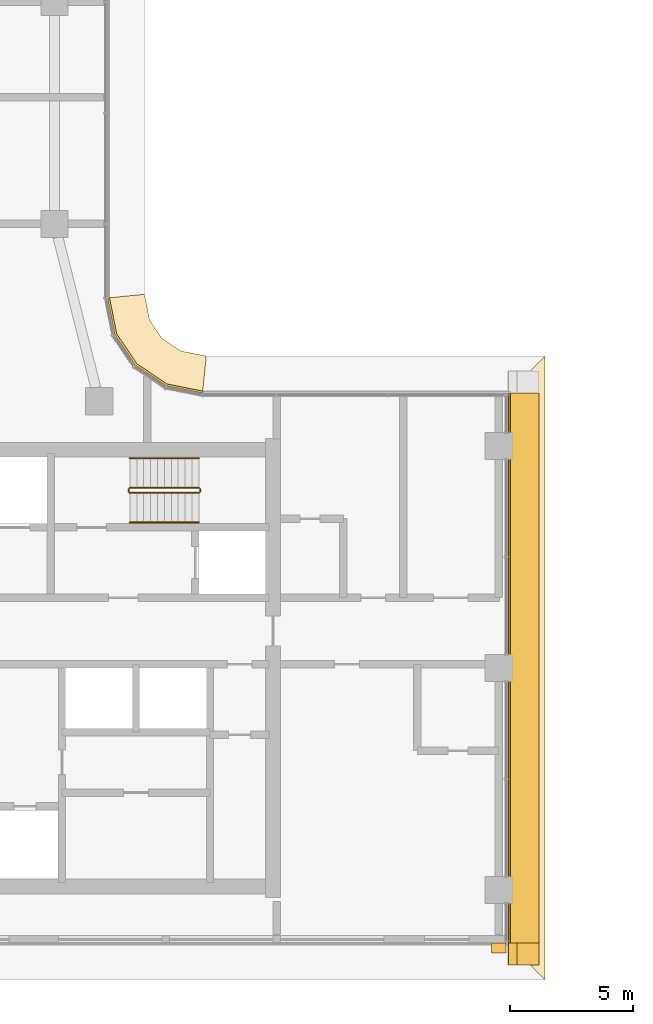
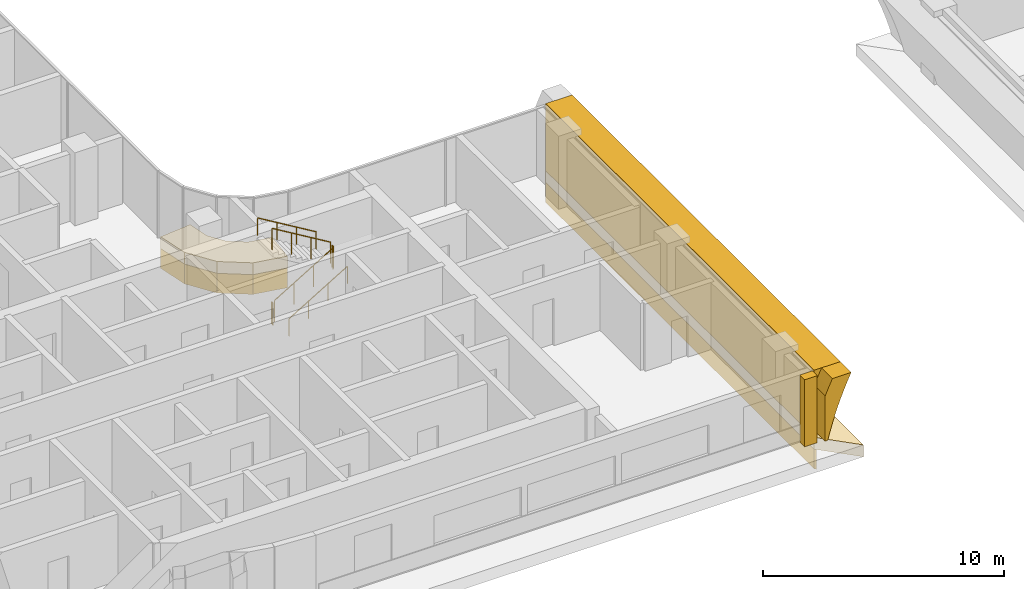
# One storey, part 20 of 26: 7 coverings, 6 railings.
"""IFC4 building model written with IfcOpenShell, lengths in metres."""

from ifc_helpers import new_model, si_unit, direction, frame, origin, origin_2d, place, context, subcontext, project, spatial, polyline, rectangle, circle, outline, extrude, material, layer, layer_set, type_object, element, save


model = new_model("IFC4")

# Units and contexts
model_context = context("Model", 3, precision=1e-05, world=origin(), true_north=direction((0.0, 1.0)))
body_context = subcontext(model_context, "Body", "Model", "MODEL_VIEW")
ifc_project = project(units=[si_unit("LENGTHUNIT", "METRE"), si_unit("AREAUNIT", "SQUARE_METRE"), si_unit("VOLUMEUNIT", "CUBIC_METRE"), si_unit("PLANEANGLEUNIT", "RADIAN"), si_unit("MASSUNIT", "GRAM", prefix="KILO")], contexts=[model_context])

# Site, building, storey
site_placement = place(None, origin())
site = spatial("IfcSite", under=ifc_project, at=site_placement, CompositionType="ELEMENT")
building_placement = place(site_placement, origin())
building = spatial("IfcBuilding", under=site, at=building_placement, Name="Ogive Portal Towers", CompositionType="ELEMENT")
storey_placement = place(building_placement, frame((0.0, 0.0, 171.800048828125)))
storey = spatial("IfcBuildingStorey", under=building, at=storey_placement, Name="L42", CompositionType="ELEMENT", Elevation=171.800048828125)

# Railings
ifc_material_1 = material(Name="Stainless steel balustrade", Category="steel")
railing_type_1 = type_object("IfcRailingType", Name="INT-GUARD", PredefinedType="GUARDRAIL", material=ifc_material_1)
railing_1_placement = place(storey_placement, frame((52.550048828125, 37.60009765625, 0.168212890625)))
element("IfcRailing", 1, at=railing_1_placement, inside=storey, type_object=railing_type_1, Name="L42 ST-A2 stair guard 1", PredefinedType="GUARDRAIL", context=body_context, shape_type="SweptSolid", body=[
    extrude(circle(Radius=0.02392578125, at=origin_2d()), frame((0.0, 0.0, 1.076171875), z_axis=(0.857275202839, 0.0, 0.514858452973), x_axis=(0.0, 1.0, 0.0)), (0.0, 0.0, 1.0), 3.26611328125),
    extrude(circle(Radius=0.02099609375, at=origin_2d()), origin(), (0.0, 0.0, 1.0), 1.052001953125),
    extrude(circle(Radius=0.02099609375, at=origin_2d()), frame((0.933349609375, 0.0, 0.560546875)), (0.0, 0.0, 1.0), 1.052001953125),
    extrude(circle(Radius=0.02099609375, at=origin_2d()), frame((1.86669921875, 0.0, 1.12109375)), (0.0, 0.0, 1.0), 1.052001953125),
    extrude(circle(Radius=0.02099609375, at=origin_2d()), frame((2.800048828125, 0.0, 1.681640625)), (0.0, 0.0, 1.0), 1.052001953125),
])
railing_2_placement = place(storey_placement, frame((55.39990234375, 37.64990234375, 1.849853515625)))
element("IfcRailing", 2, at=railing_2_placement, inside=storey, type_object=railing_type_1, Name="L42 ST-A2 stair guard 2", PredefinedType="GUARDRAIL", context=body_context, shape_type="SweptSolid", body=[
    extrude(circle(Radius=0.02392578125, at=origin_2d()), frame((0.0, 0.0, 1.076171875), z_axis=(0.0, 1.0, 0.0), x_axis=(-1.0, 0.0, 0.0)), (0.0, 0.0, 1.0), 0.10009765625),
    extrude(circle(Radius=0.02099609375, at=origin_2d()), origin(), (0.0, 0.0, 1.0), 1.052001953125),
    extrude(circle(Radius=0.02099609375, at=origin_2d()), frame((0.0, 0.10009765625, 0.0)), (0.0, 0.0, 1.0), 1.052001953125),
])
railing_3_placement = place(storey_placement, frame((55.35009765625, 37.800048828125, 2.01806640625)))
element("IfcRailing", 3, at=railing_3_placement, inside=storey, type_object=railing_type_1, Name="L42 ST-A2 stair guard 3", PredefinedType="GUARDRAIL", context=body_context, shape_type="SweptSolid", body=[
    extrude(circle(Radius=0.02392578125, at=origin_2d()), frame((0.0, 0.0, 1.076171875), z_axis=(-0.857242210791, 0.0, 0.514913383045), x_axis=(0.0, -1.0, 0.0)), (0.0, 0.0, 1.0), 3.266357421875),
    extrude(circle(Radius=0.02099609375, at=origin_2d()), origin(), (0.0, 0.0, 1.0), 1.052001953125),
    extrude(circle(Radius=0.02099609375, at=origin_2d()), frame((-0.933349609375, 0.0, 0.560546875)), (0.0, 0.0, 1.0), 1.052001953125),
    extrude(circle(Radius=0.02099609375, at=origin_2d()), frame((-1.86669921875, 0.0, 1.121337890625)), (0.0, 0.0, 1.0), 1.052001953125),
    extrude(circle(Radius=0.02099609375, at=origin_2d()), frame((-2.800048828125, 0.0, 1.681884765625)), (0.0, 0.0, 1.0), 1.052001953125),
])
railing_4_placement = place(storey_placement, frame((52.5, 37.64990234375, 0.0)))
element("IfcRailing", 4, at=railing_4_placement, inside=storey, type_object=railing_type_1, Name="L42 ST-A2 stair guard 4", PredefinedType="GUARDRAIL", context=body_context, shape_type="SweptSolid", body=[
    extrude(circle(Radius=0.02392578125, at=origin_2d()), frame((0.0, 0.0, 1.076171875), z_axis=(0.0, 1.0, 0.0), x_axis=(-1.0, 0.0, 0.0)), (0.0, 0.0, 1.0), 0.10009765625),
    extrude(circle(Radius=0.02099609375, at=origin_2d()), origin(), (0.0, 0.0, 1.0), 1.052001953125),
    extrude(circle(Radius=0.02099609375, at=origin_2d()), frame((0.0, 0.10009765625, 0.0)), (0.0, 0.0, 1.0), 1.052001953125),
])
ifc_material_2 = material(Name="Stainless steel handrail", Category="steel")
railing_type_2 = type_object("IfcRailingType", Name="INT-HANDRAIL", PredefinedType="HANDRAIL", material=ifc_material_2)
railing_5_placement = place(storey_placement, frame((52.550048828125, 36.39990234375, 0.168212890625)))
element("IfcRailing", 5, at=railing_5_placement, inside=storey, type_object=railing_type_2, Name="L42 ST-A2 stair handrail 1", PredefinedType="HANDRAIL", context=body_context, shape_type="SweptSolid", body=[
    extrude(circle(Radius=0.02392578125, at=origin_2d()), frame((0.0, 0.0, 0.8759765625), z_axis=(0.857275202839, 0.0, 0.514858452973), x_axis=(0.0, 1.0, 0.0)), (0.0, 0.0, 1.0), 3.26611328125),
    extrude(circle(Radius=0.02099609375, at=origin_2d()), origin(), (0.0, 0.0, 1.0), 0.851806640625),
    extrude(circle(Radius=0.02099609375, at=origin_2d()), frame((0.933349609375, 0.0, 0.560546875)), (0.0, 0.0, 1.0), 0.851806640625),
    extrude(circle(Radius=0.02099609375, at=origin_2d()), frame((1.86669921875, 0.0, 1.12109375)), (0.0, 0.0, 1.0), 0.851806640625),
    extrude(circle(Radius=0.02099609375, at=origin_2d()), frame((2.800048828125, 0.0, 1.681640625)), (0.0, 0.0, 1.0), 0.851806640625),
])
railing_6_placement = place(storey_placement, frame((55.35009765625, 39.0, 2.01806640625)))
element("IfcRailing", 6, at=railing_6_placement, inside=storey, type_object=railing_type_2, Name="L42 ST-A2 stair handrail 2", PredefinedType="HANDRAIL", context=body_context, shape_type="SweptSolid", body=[
    extrude(circle(Radius=0.02392578125, at=origin_2d()), frame((0.0, 0.0, 0.8759765625), z_axis=(-0.857242210791, 0.0, 0.514913383045), x_axis=(0.0, -1.0, 0.0)), (0.0, 0.0, 1.0), 3.266357421875),
    extrude(circle(Radius=0.02099609375, at=origin_2d()), origin(), (0.0, 0.0, 1.0), 0.851806640625),
    extrude(circle(Radius=0.02099609375, at=origin_2d()), frame((-0.933349609375, 0.0, 0.560546875)), (0.0, 0.0, 1.0), 0.851806640625),
    extrude(circle(Radius=0.02099609375, at=origin_2d()), frame((-1.86669921875, 0.0, 1.121337890625)), (0.0, 0.0, 1.0), 0.851806640625),
    extrude(circle(Radius=0.02099609375, at=origin_2d()), frame((-2.800048828125, 0.0, 1.681884765625)), (0.0, 0.0, 1.0), 0.851806640625),
])

# Coverings
ifc_material_3 = material(Name="Limestone cladding on lightweight block wall", Category="masonry")
ifc_layer_1 = layer(ifc_material_3, 0.300048828125)
ifc_layer_set_1 = layer_set([ifc_layer_1], Name="OGIVE SOFFIT STONE")
covering_type_1 = type_object("IfcCoveringType", Name="OGIVE SOFFIT STONE", PredefinedType="CLADDING", material=ifc_layer_set_1)
covering_1_placement = place(storey_placement, frame((67.8798828125, 19.35498046875, 0.0), z_axis=(0.0, -1.0, 0.0), x_axis=(1.0, 0.0, 0.0)))
element("IfcCovering", 7, at=covering_1_placement, inside=storey, type_object=covering_type_1, Name="OGIVE SOFFIT W L42", PredefinedType="CLADDING", context=body_context, shape_type="SweptSolid", body=[
    extrude(outline(polyline([(0.0, 0.0), (0.048828125, 0.0), (0.15478515625, 0.425048828125), (0.27294921875, 0.849853515625), (0.40380859375, 1.27490234375), (0.5478515625, 1.699951171875), (0.705078125, 2.125), (0.8759765625, 2.550048828125), (1.06103515625, 2.974853515625), (1.260986328125, 3.39990234375), (0.0, 3.39990234375), (0.0, 0.0)])), origin(), (0.0, 0.0, -1.0), 22.2900390625),
])
ifc_layer_2 = layer(ifc_material_3, 0.60009765625)
ifc_layer_set_2 = layer_set([ifc_layer_2], Name="PORTAL ARCHIVOLT STONE")
covering_type_2 = type_object("IfcCoveringType", Name="PORTAL ARCHIVOLT STONE", PredefinedType="CLADDING", material=ifc_layer_set_2)
covering_2_placement = place(storey_placement, frame((68.01513671875, 18.455078125, 0.349853515625), z_axis=(0.0, -1.0, 0.0), x_axis=(0.261967073104, 0.0, 0.965076811766)))
element("IfcCovering", 8, at=covering_2_placement, inside=storey, type_object=covering_type_2, Name="PORTAL ARCHIVOLT W L42", PredefinedType="CLADDING", context=body_context, shape_type="SweptSolid", body=[
    extrude(outline(polyline([(0.0, 0.0), (0.39514746557014485, 1.3877787807814457e-17), (0.7929171601435312, -0.00966019269590368), (1.1932013828740755, -0.029515763804663475), (1.596471362673773, -0.059438799716365065), (2.002619398696541, -0.099964486147961), (2.4114098764863807, -0.15115677990440834), (2.8232702809141617, -0.21365856754874302), (3.2384362264358812, -0.28740589227600766), (3.002691443363978, 0.5810689925313336), (2.5874615410373014, 0.6550519317145959), (2.1756650934144774, 0.7173181049029328), (1.8044812169394175, 0.6299690985327615), (1.4364514366710868, 0.5300685691897575), (1.0684216564027562, 0.43016803984675345), (0.7006274905904232, 0.33033146730870655), (0.3325977103220924, 0.23043093796570258), (-0.03543206994623829, 0.1305304086226986), (0.0, 0.0)])), origin(), (0.0, 0.0, -1.0), 0.89990234375),
])
ifc_layer_3 = layer(ifc_material_3, 0.39990234375)
ifc_layer_set_3 = layer_set([ifc_layer_3], Name="PORTAL BUTTRESS STONE")
covering_type_3 = type_object("IfcCoveringType", Name="PORTAL BUTTRESS STONE", PredefinedType="CLADDING", material=ifc_layer_set_3)
covering_3_placement = place(storey_placement, frame((67.5, 19.155029296875, 0.0), z_axis=(0.0, 0.0, 1.0), x_axis=(1.0, 0.0, 0.0)))
element("IfcCovering", 9, at=covering_3_placement, inside=storey, type_object=covering_type_3, Name="PORTAL BUTTRESS", PredefinedType="CLADDING", context=body_context, shape_type="SweptSolid", body=[
    extrude(rectangle(XDim=0.60009765625, YDim=0.39990234375, at=origin_2d()), origin(), (0.0, 0.0, 1.0), 3.39990234375),
])
ifc_layer_4 = layer(ifc_material_3, 0.080078125)
ifc_layer_set_4 = layer_set([ifc_layer_4], Name="STONE SPANDREL 80")
covering_type_4 = type_object("IfcCoveringType", Name="STONE SPANDREL 80", PredefinedType="CLADDING", material=ifc_layer_set_4)
covering_4_placement = place(storey_placement, frame((0.0, 0.0, -1.60009765625)))
element("IfcCovering", 10, at=covering_4_placement, inside=storey, type_object=covering_type_4, Name="Stone spandrel A1-F06", PredefinedType="CLADDING", context=body_context, shape_type="SweptSolid", body=[
    extrude(outline(polyline([(67.8798828125, 19.35498046875), (67.8798828125, 41.64501953125), (67.9599609375, 41.72509765625), (67.9599609375, 19.27490234375), (67.8798828125, 19.35498046875)])), origin(), (0.0, 0.0, 1.0), 1.0),
])
covering_5_placement = place(storey_placement, frame((0.0, 0.0, -1.60009765625)))
element("IfcCovering", 11, at=covering_5_placement, inside=storey, type_object=covering_type_4, Name="Stone spandrel A1-F08", PredefinedType="CLADDING", context=body_context, shape_type="SweptSolid", body=[
    extrude(outline(polyline([(55.5, 41.64501953125), (54.024658203125, 41.9384765625), (52.774169921875, 42.774169921875), (51.9384765625, 44.024658203125), (51.64501953125, 45.5), (51.72509765625, 45.5078125), (52.013916015625, 44.055908203125), (52.831787109375, 42.831787109375), (54.055908203125, 42.013916015625), (55.5078125, 41.72509765625), (55.5, 41.64501953125)])), origin(), (0.0, 0.0, 1.0), 1.0),
])
ifc_layer_5 = layer(ifc_material_3, 0.60009765625)
ifc_layer_set_5 = layer_set([ifc_layer_5], Name="SUNSHADE LIP 600")
covering_type_5 = type_object("IfcCoveringType", Name="SUNSHADE LIP 600", PredefinedType="CLADDING", material=ifc_layer_set_5)
covering_6_placement = place(storey_placement, frame((0.0, 0.0, -0.60009765625)))
element("IfcCovering", 12, at=covering_6_placement, inside=storey, type_object=covering_type_5, Name="Sunshade lip A1-F06", PredefinedType="CLADDING", context=body_context, shape_type="SweptSolid", body=[
    extrude(outline(polyline([(67.8798828125, 19.35498046875), (67.8798828125, 41.64501953125), (69.3798828125, 43.14501953125), (69.3798828125, 17.85498046875), (67.8798828125, 19.35498046875)])), origin(), (0.0, 0.0, 1.0), 0.60009765625),
])
covering_7_placement = place(storey_placement, frame((0.0, 0.0, -0.60009765625)))
element("IfcCovering", 13, at=covering_7_placement, inside=storey, type_object=covering_type_5, Name="Sunshade lip A1-F08", PredefinedType="CLADDING", context=body_context, shape_type="SweptSolid", body=[
    extrude(outline(polyline([(55.5, 41.64501953125), (54.024658203125, 41.9384765625), (52.774169921875, 42.774169921875), (51.9384765625, 44.024658203125), (51.64501953125, 45.5), (53.14501953125, 45.647705078125), (53.351318359375, 44.610107421875), (53.85546875, 43.85546875), (54.610107421875, 43.351318359375), (55.647705078125, 43.14501953125), (55.5, 41.64501953125)])), origin(), (0.0, 0.0, 1.0), 0.60009765625),
])

save(model, "model.ifc")
